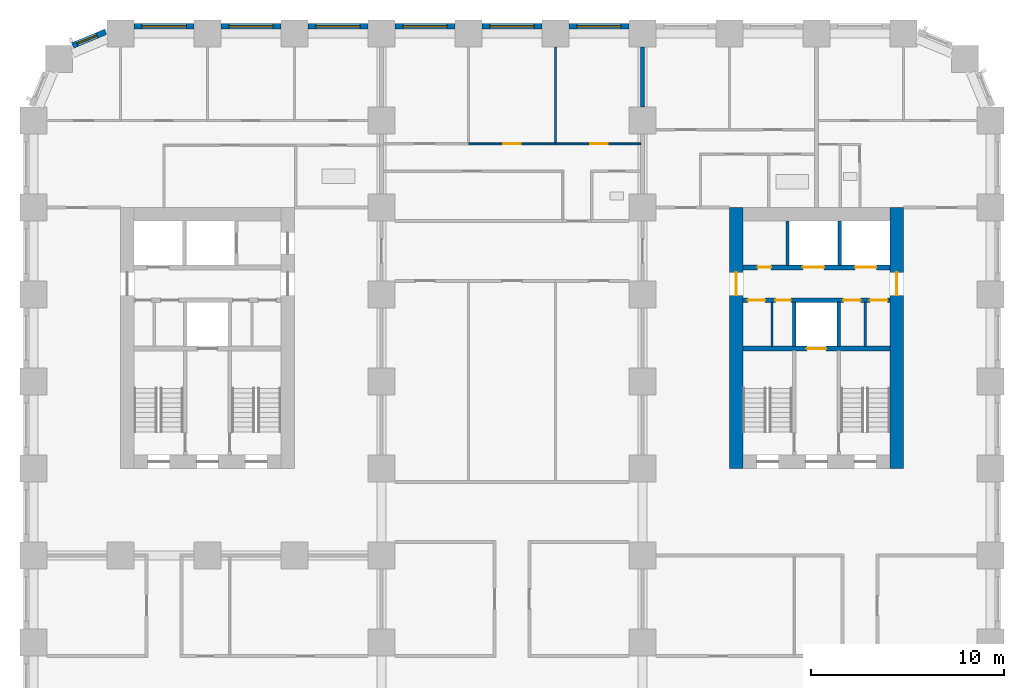
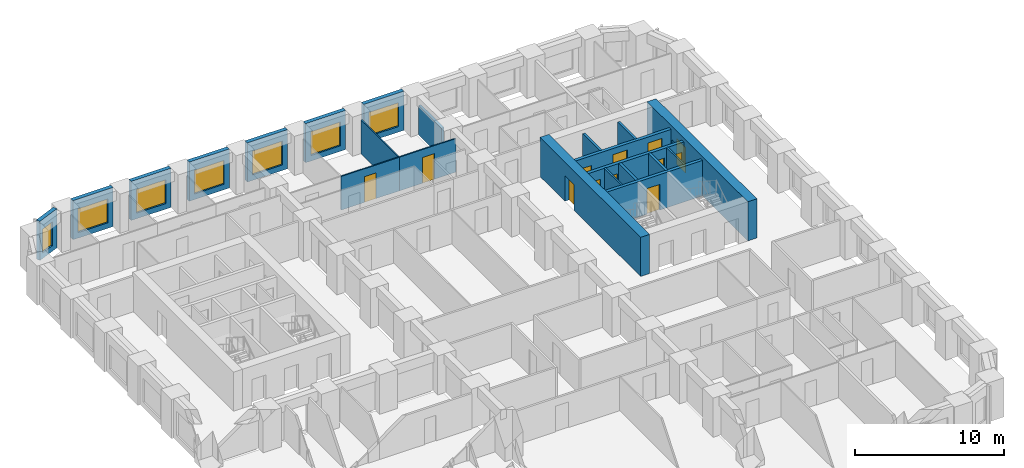
# One storey, part 8 of 13: 22 walls, 12 doors, 7 windows, 19 openings.
"""IFC4 building model written with IfcOpenShell, lengths in metres."""

from ifc_helpers import new_model, si_unit, direction, frame, frame_2d, origin, place, context, subcontext, project, spatial, rectangle, extrude, material, layer, layer_set, type_object, element, fill, save


model = new_model("IFC4")

# Units and contexts
model_context = context("Model", 3, precision=1e-05, world=origin(), true_north=direction((0.0, 1.0)))
body_context = subcontext(model_context, "Body", "Model", "MODEL_VIEW")
ifc_project = project(units=[si_unit("LENGTHUNIT", "METRE"), si_unit("AREAUNIT", "SQUARE_METRE"), si_unit("VOLUMEUNIT", "CUBIC_METRE"), si_unit("PLANEANGLEUNIT", "RADIAN"), si_unit("MASSUNIT", "GRAM", prefix="KILO")], contexts=[model_context])

# Site, building, storey
site_placement = place(None, origin())
site = spatial("IfcSite", under=ifc_project, at=site_placement, CompositionType="ELEMENT")
building_placement = place(site_placement, origin())
building = spatial("IfcBuilding", under=site, at=building_placement, Name="Girih Gate Residences", CompositionType="ELEMENT")
storey_placement = place(building_placement, frame((0.0, 0.0, 43.199951171875)))
storey = spatial("IfcBuildingStorey", under=building, at=storey_placement, Name="L10", CompositionType="ELEMENT", Elevation=43.199951171875)

# Wall, opening, door
ifc_material_1 = material(Name="Concrete C60/75", Category="concrete")
ifc_layer_1 = layer(ifc_material_1, 0.699951171875)
ifc_layer_set_1 = layer_set([ifc_layer_1], Name="Core wall RC 700 Concrete C60/75")
wall_type_1 = type_object("IfcWallType", Name="Core wall RC 700 Concrete C60/75", PredefinedType="SOLIDWALL", material=ifc_layer_set_1)
wall_1_placement = place(storey_placement, frame((36.35009765625, 27.0, 0.0), z_axis=(0.0, 0.0, 1.0), x_axis=(0.0, 1.0, 0.0)))
wall_1 = element("IfcWall", 1, at=wall_1_placement, inside=storey, type_object=wall_type_1, Name="Core wall E-W L10", PredefinedType="SOLIDWALL", context=body_context, shape_type="SweptSolid", body=[
    extrude(rectangle(XDim=13.5, YDim=0.699951171875, at=frame_2d((6.75, 0.0))), origin(), (0.0, 0.0, 1.0), 3.199951171875),
])
opening_1_placement = place(wall_1_placement, frame((8.949951171875, 0.0, 0.0)))
opening_1 = element("IfcOpeningElement", 2, at=opening_1_placement, cuts=wall_1, Name="Opening D-L10-E-014", PredefinedType="OPENING", context=body_context, shape_type="SweptSolid", body=[
    extrude(rectangle(XDim=1.199951171875, YDim=2.10009765625, at=frame_2d((0.60009765625, 1.050048828125))), frame((0.0, 0.35986328125, 0.0), z_axis=(0.0, -1.0, 0.0), x_axis=(1.0, 0.0, 0.0)), (0.0, 0.0, 1.0), 0.719970703125),
])
ifc_material_2 = material(Name="Painted steel, fire-resisting", Category="steel")
door_type_1 = type_object("IfcDoorType", Name="Fire door 1200x2100", OperationType="SINGLE_SWING_LEFT", PredefinedType="DOOR", material=ifc_material_2)
door_1_placement = place(opening_1_placement, origin())
door_1 = element("IfcDoor", 3, at=door_1_placement, inside=storey, type_object=door_type_1, Name="L10 E core door ll-w", OperationType="SINGLE_SWING_LEFT", OverallHeight=2.10009765625, OverallWidth=1.199951171875, PredefinedType="DOOR", context=body_context, shape_type="SweptSolid", body=[
    extrude(rectangle(XDim=1.199951171875, YDim=2.10009765625, at=frame_2d((0.60009765625, 1.050048828125))), frame((0.0, 0.02490234375, 0.0), z_axis=(0.0, -1.0, 0.0), x_axis=(1.0, 0.0, 0.0)), (0.0, 0.0, 1.0), 0.050048828125),
])
fill(opening_1, door_1)

wall_2_placement = place(storey_placement, frame((44.64990234375, 27.0, 0.0), z_axis=(0.0, 0.0, 1.0), x_axis=(0.0, 1.0, 0.0)))
wall_2 = element("IfcWall", 4, at=wall_2_placement, inside=storey, type_object=wall_type_1, Name="Core wall E-E L10", PredefinedType="SOLIDWALL", context=body_context, shape_type="SweptSolid", body=[
    extrude(rectangle(XDim=13.5, YDim=0.699951171875, at=frame_2d((6.75, 0.0))), origin(), (0.0, 0.0, 1.0), 3.199951171875),
])
opening_2_placement = place(wall_2_placement, frame((8.949951171875, 0.0, 0.0)))
opening_2 = element("IfcOpeningElement", 5, at=opening_2_placement, cuts=wall_2, Name="Opening D-L10-E-015", PredefinedType="OPENING", context=body_context, shape_type="SweptSolid", body=[
    extrude(rectangle(XDim=1.199951171875, YDim=2.10009765625, at=frame_2d((0.60009765625, 1.050048828125))), frame((0.0, 0.35986328125, 0.0), z_axis=(0.0, -1.0, 0.0), x_axis=(1.0, 0.0, 0.0)), (0.0, 0.0, 1.0), 0.719970703125),
])
door_2_placement = place(opening_2_placement, origin())
door_2 = element("IfcDoor", 6, at=door_2_placement, inside=storey, type_object=door_type_1, Name="L10 E core door ll-e", OperationType="SINGLE_SWING_LEFT", OverallHeight=2.10009765625, OverallWidth=1.199951171875, PredefinedType="DOOR", context=body_context, shape_type="SweptSolid", body=[
    extrude(rectangle(XDim=1.199951171875, YDim=2.10009765625, at=frame_2d((0.60009765625, 1.050048828125))), frame((0.0, 0.02490234375, 0.0), z_axis=(0.0, -1.0, 0.0), x_axis=(1.0, 0.0, 0.0)), (0.0, 0.0, 1.0), 0.050048828125),
])
fill(opening_2, door_2)

ifc_material_3 = material(Name="Concrete C40/50", Category="concrete")
ifc_layer_2 = layer(ifc_material_3, 0.25)
ifc_layer_set_2 = layer_set([ifc_layer_2], Name="Lift shaft wall 250")
wall_type_2 = type_object("IfcWallType", Name="Lift shaft wall 250", PredefinedType="SOLIDWALL", material=ifc_layer_set_2)
wall_3_placement = place(storey_placement, frame((36.699951171875, 33.199951171875, 0.0), z_axis=(0.0, 0.0, 1.0), x_axis=(1.0, 0.0, 0.0)))
wall_3 = element("IfcWall", 7, at=wall_3_placement, inside=storey, type_object=wall_type_2, Name="L10 E core wall H1", PredefinedType="SOLIDWALL", context=body_context, shape_type="SweptSolid", body=[
    extrude(rectangle(XDim=7.60009765625, YDim=0.25, at=frame_2d((3.800048828125, 0.0))), origin(), (0.0, 0.0, 1.0), 2.900146484375),
])
opening_3_placement = place(wall_3_placement, frame((3.300048828125, 0.0, 0.0)))
opening_3 = element("IfcOpeningElement", 8, at=opening_3_placement, cuts=wall_3, Name="Opening D-L10-E-005", PredefinedType="OPENING", context=body_context, shape_type="SweptSolid", body=[
    extrude(rectangle(XDim=1.0, YDim=2.10009765625, at=frame_2d((0.5, 1.050048828125))), frame((0.0, 0.135009765625, 0.0), z_axis=(0.0, -1.0, 0.0), x_axis=(1.0, 0.0, 0.0)), (0.0, 0.0, 1.0), 0.27001953125),
])
ifc_material_4 = material(Name="Stainless steel, fire-resisting", Category="steel")
door_type_2 = type_object("IfcDoorType", Name="Firefighting lift landing door 1000x2100", OperationType="SLIDING_TO_LEFT", PredefinedType="DOOR", material=ifc_material_4)
door_3_placement = place(opening_3_placement, origin())
door_3 = element("IfcDoor", 9, at=door_3_placement, inside=storey, type_object=door_type_2, Name="L10 lift FF-E landing door", OperationType="SLIDING_TO_LEFT", OverallHeight=2.10009765625, OverallWidth=1.0, PredefinedType="DOOR", context=body_context, shape_type="SweptSolid", body=[
    extrude(rectangle(XDim=1.0, YDim=2.10009765625, at=frame_2d((0.5, 1.050048828125))), frame((0.0, 0.02490234375, 0.0), z_axis=(0.0, -1.0, 0.0), x_axis=(1.0, 0.0, 0.0)), (0.0, 0.0, 1.0), 0.050048828125),
])
fill(opening_3, door_3)

# Wall, openings, doors
wall_4_placement = place(storey_placement, frame((36.699951171875, 35.699951171875, 0.0), z_axis=(0.0, 0.0, 1.0), x_axis=(1.0, 0.0, 0.0)))
wall_4 = element("IfcWall", 10, at=wall_4_placement, inside=storey, type_object=wall_type_2, Name="L10 E core wall H2", PredefinedType="SOLIDWALL", context=body_context, shape_type="SweptSolid", body=[
    extrude(rectangle(XDim=7.60009765625, YDim=0.25, at=frame_2d((3.800048828125, 0.0))), origin(), (0.0, 0.0, 1.0), 2.900146484375),
])
opening_4_placement = place(wall_4_placement, frame((6.5625, 0.0, 0.0)))
opening_4 = element("IfcOpeningElement", 11, at=opening_4_placement, cuts=wall_4, Name="Opening D-L10-E-007", PredefinedType="OPENING", context=body_context, shape_type="SweptSolid", body=[
    extrude(rectangle(XDim=0.89990234375, YDim=2.10009765625, at=frame_2d((0.449951171875, 1.050048828125))), frame((0.0, 0.135009765625, 0.0), z_axis=(0.0, -1.0, 0.0), x_axis=(1.0, 0.0, 0.0)), (0.0, 0.0, 1.0), 0.27001953125),
])
opening_5_placement = place(wall_4_placement, frame((5.1875, 0.0, 0.0)))
opening_5 = element("IfcOpeningElement", 12, at=opening_5_placement, cuts=wall_4, Name="Opening D-L10-E-008", PredefinedType="OPENING", context=body_context, shape_type="SweptSolid", body=[
    extrude(rectangle(XDim=0.89990234375, YDim=2.10009765625, at=frame_2d((0.449951171875, 1.050048828125))), frame((0.0, 0.135009765625, 0.0), z_axis=(0.0, -1.0, 0.0), x_axis=(1.0, 0.0, 0.0)), (0.0, 0.0, 1.0), 0.27001953125),
])
opening_6_placement = place(wall_4_placement, frame((1.675048828125, 0.0, 0.0)))
opening_6 = element("IfcOpeningElement", 13, at=opening_6_placement, cuts=wall_4, Name="Opening D-L10-E-009", PredefinedType="OPENING", context=body_context, shape_type="SweptSolid", body=[
    extrude(rectangle(XDim=0.800048828125, YDim=2.10009765625, at=frame_2d((0.39990234375, 1.050048828125))), frame((0.0, 0.135009765625, 0.0), z_axis=(0.0, -1.0, 0.0), x_axis=(1.0, 0.0, 0.0)), (0.0, 0.0, 1.0), 0.27001953125),
])
opening_7_placement = place(wall_4_placement, frame((0.25, 0.0, 0.0)))
opening_7 = element("IfcOpeningElement", 14, at=opening_7_placement, cuts=wall_4, Name="Opening D-L10-E-010", PredefinedType="OPENING", context=body_context, shape_type="SweptSolid", body=[
    extrude(rectangle(XDim=0.89990234375, YDim=2.10009765625, at=frame_2d((0.449951171875, 1.050048828125))), frame((0.0, 0.135009765625, 0.0), z_axis=(0.0, -1.0, 0.0), x_axis=(1.0, 0.0, 0.0)), (0.0, 0.0, 1.0), 0.27001953125),
])
door_type_3 = type_object("IfcDoorType", Name="Fire door 800x2100", OperationType="SINGLE_SWING_LEFT", PredefinedType="DOOR", material=ifc_material_2)
door_4_placement = place(opening_6_placement, origin())
door_4 = element("IfcDoor", 15, at=door_4_placement, inside=storey, type_object=door_type_3, Name="L10 E linen store door", OperationType="SINGLE_SWING_LEFT", OverallHeight=2.10009765625, OverallWidth=0.800048828125, PredefinedType="DOOR", context=body_context, shape_type="SweptSolid", body=[
    extrude(rectangle(XDim=0.800048828125, YDim=2.10009765625, at=frame_2d((0.39990234375, 1.050048828125))), frame((0.0, 0.02490234375, 0.0), z_axis=(0.0, -1.0, 0.0), x_axis=(1.0, 0.0, 0.0)), (0.0, 0.0, 1.0), 0.050048828125),
])
fill(opening_6, door_4)
door_type_4 = type_object("IfcDoorType", Name="Fire door 900x2100", OperationType="SINGLE_SWING_LEFT", PredefinedType="DOOR", material=ifc_material_2)
door_5_placement = place(opening_4_placement, origin())
door_5 = element("IfcDoor", 16, at=door_5_placement, inside=storey, type_object=door_type_4, Name="L10 E maintenance store door", OperationType="SINGLE_SWING_LEFT", OverallHeight=2.10009765625, OverallWidth=0.89990234375, PredefinedType="DOOR", context=body_context, shape_type="SweptSolid", body=[
    extrude(rectangle(XDim=0.89990234375, YDim=2.10009765625, at=frame_2d((0.449951171875, 1.050048828125))), frame((0.0, 0.02490234375, 0.0), z_axis=(0.0, -1.0, 0.0), x_axis=(1.0, 0.0, 0.0)), (0.0, 0.0, 1.0), 0.050048828125),
])
fill(opening_4, door_5)
door_6_placement = place(opening_5_placement, origin())
door_6 = element("IfcDoor", 17, at=door_6_placement, inside=storey, type_object=door_type_4, Name="L10 E electrical room door", OperationType="SINGLE_SWING_LEFT", OverallHeight=2.10009765625, OverallWidth=0.89990234375, PredefinedType="DOOR", context=body_context, shape_type="SweptSolid", body=[
    extrude(rectangle(XDim=0.89990234375, YDim=2.10009765625, at=frame_2d((0.449951171875, 1.050048828125))), frame((0.0, 0.02490234375, 0.0), z_axis=(0.0, -1.0, 0.0), x_axis=(1.0, 0.0, 0.0)), (0.0, 0.0, 1.0), 0.050048828125),
])
fill(opening_5, door_6)
door_7_placement = place(opening_7_placement, origin())
door_7 = element("IfcDoor", 18, at=door_7_placement, inside=storey, type_object=door_type_4, Name="L10 E store door", OperationType="SINGLE_SWING_LEFT", OverallHeight=2.10009765625, OverallWidth=0.89990234375, PredefinedType="DOOR", context=body_context, shape_type="SweptSolid", body=[
    extrude(rectangle(XDim=0.89990234375, YDim=2.10009765625, at=frame_2d((0.449951171875, 1.050048828125))), frame((0.0, 0.02490234375, 0.0), z_axis=(0.0, -1.0, 0.0), x_axis=(1.0, 0.0, 0.0)), (0.0, 0.0, 1.0), 0.050048828125),
])
fill(opening_7, door_7)

wall_5_placement = place(storey_placement, frame((36.699951171875, 37.39990234375, 0.0), z_axis=(0.0, 0.0, 1.0), x_axis=(1.0, 0.0, 0.0)))
wall_5 = element("IfcWall", 19, at=wall_5_placement, inside=storey, type_object=wall_type_2, Name="L10 E core wall H3", PredefinedType="SOLIDWALL", context=body_context, shape_type="SweptSolid", body=[
    extrude(rectangle(XDim=7.60009765625, YDim=0.25, at=frame_2d((3.800048828125, 0.0))), origin(), (0.0, 0.0, 1.0), 2.900146484375),
])
opening_8_placement = place(wall_5_placement, frame((5.800048828125, 0.0, 0.0)))
opening_8 = element("IfcOpeningElement", 20, at=opening_8_placement, cuts=wall_5, Name="Opening D-L10-E-003", PredefinedType="OPENING", context=body_context, shape_type="SweptSolid", body=[
    extrude(rectangle(XDim=1.10009765625, YDim=2.39990234375, at=frame_2d((0.550048828125, 1.199951171875))), frame((0.0, 0.135009765625, 0.0), z_axis=(0.0, -1.0, 0.0), x_axis=(1.0, 0.0, 0.0)), (0.0, 0.0, 1.0), 0.27001953125),
])
opening_9_placement = place(wall_5_placement, frame((3.10009765625, 0.0, 0.0)))
opening_9 = element("IfcOpeningElement", 21, at=opening_9_placement, cuts=wall_5, Name="Opening D-L10-E-004", PredefinedType="OPENING", context=body_context, shape_type="SweptSolid", body=[
    extrude(rectangle(XDim=1.10009765625, YDim=2.39990234375, at=frame_2d((0.550048828125, 1.199951171875))), frame((0.0, 0.135009765625, 0.0), z_axis=(0.0, -1.0, 0.0), x_axis=(1.0, 0.0, 0.0)), (0.0, 0.0, 1.0), 0.27001953125),
])
opening_10_placement = place(wall_5_placement, frame((0.75, 0.0, 0.0)))
opening_10 = element("IfcOpeningElement", 22, at=opening_10_placement, cuts=wall_5, Name="Opening D-L10-E-006", PredefinedType="OPENING", context=body_context, shape_type="SweptSolid", body=[
    extrude(rectangle(XDim=0.699951171875, YDim=2.10009765625, at=frame_2d((0.35009765625, 1.050048828125))), frame((0.0, 0.135009765625, 0.0), z_axis=(0.0, -1.0, 0.0), x_axis=(1.0, 0.0, 0.0)), (0.0, 0.0, 1.0), 0.27001953125),
])
ifc_material_5 = material(Name="Stainless steel", Category="steel")
door_type_5 = type_object("IfcDoorType", Name="Lift landing door 1100x2400", OperationType="SLIDING_TO_LEFT", PredefinedType="DOOR", material=ifc_material_5)
door_8_placement = place(opening_8_placement, origin())
door_8 = element("IfcDoor", 23, at=door_8_placement, inside=storey, type_object=door_type_5, Name="L10 lift LR-E1 landing door", OperationType="SLIDING_TO_LEFT", OverallHeight=2.39990234375, OverallWidth=1.10009765625, PredefinedType="DOOR", context=body_context, shape_type="SweptSolid", body=[
    extrude(rectangle(XDim=1.10009765625, YDim=2.39990234375, at=frame_2d((0.550048828125, 1.199951171875))), frame((0.0, 0.02490234375, 0.0), z_axis=(0.0, -1.0, 0.0), x_axis=(1.0, 0.0, 0.0)), (0.0, 0.0, 1.0), 0.050048828125),
])
fill(opening_8, door_8)
door_9_placement = place(opening_9_placement, origin())
door_9 = element("IfcDoor", 24, at=door_9_placement, inside=storey, type_object=door_type_5, Name="L10 lift LR-E2 landing door", OperationType="SLIDING_TO_LEFT", OverallHeight=2.39990234375, OverallWidth=1.10009765625, PredefinedType="DOOR", context=body_context, shape_type="SweptSolid", body=[
    extrude(rectangle(XDim=1.10009765625, YDim=2.39990234375, at=frame_2d((0.550048828125, 1.199951171875))), frame((0.0, 0.02490234375, 0.0), z_axis=(0.0, -1.0, 0.0), x_axis=(1.0, 0.0, 0.0)), (0.0, 0.0, 1.0), 0.050048828125),
])
fill(opening_9, door_9)
door_type_6 = type_object("IfcDoorType", Name="Riser access door 700x2100", OperationType="SINGLE_SWING_LEFT", PredefinedType="DOOR", material=ifc_material_2)
door_10_placement = place(opening_10_placement, origin())
door_10 = element("IfcDoor", 25, at=door_10_placement, inside=storey, type_object=door_type_6, Name="L10 E riser room door", OperationType="SINGLE_SWING_LEFT", OverallHeight=2.10009765625, OverallWidth=0.699951171875, PredefinedType="DOOR", context=body_context, shape_type="SweptSolid", body=[
    extrude(rectangle(XDim=0.699951171875, YDim=2.10009765625, at=frame_2d((0.35009765625, 1.050048828125))), frame((0.0, 0.02490234375, 0.0), z_axis=(0.0, -1.0, 0.0), x_axis=(1.0, 0.0, 0.0)), (0.0, 0.0, 1.0), 0.050048828125),
])
fill(opening_10, door_10)

# Wall
ifc_material_6 = material(Name="Gypsum board on steel studs", Category="steel")
ifc_layer_3 = layer(ifc_material_6, 0.10009765625)
ifc_layer_set_3 = layer_set([ifc_layer_3], Name="Partition 100 mm")
wall_type_3 = type_object("IfcWallType", Name="Partition 100 mm", PredefinedType="PARTITIONING", material=ifc_layer_set_3)
wall_6_placement = place(storey_placement, frame((27.0, 43.840087890625, 0.0), z_axis=(0.0, 0.0, 1.0), x_axis=(0.0, 1.0, 0.0)))
element("IfcWall", 26, at=wall_6_placement, inside=storey, type_object=wall_type_3, Name="L10 partition", PredefinedType="PARTITIONING", context=body_context, shape_type="SweptSolid", body=[
    extrude(rectangle(XDim=4.9599609375, YDim=0.10009765625, at=frame_2d((2.47998046875, 0.0))), origin(), (0.0, 0.0, 1.0), 2.75),
])

# Wall, opening, door
wall_7_placement = place(storey_placement, frame((22.5, 43.7900390625, 0.0), z_axis=(0.0, 0.0, 1.0), x_axis=(1.0, 0.0, 0.0)))
wall_7 = element("IfcWall", 27, at=wall_7_placement, inside=storey, type_object=wall_type_3, Name="L10 partition", PredefinedType="PARTITIONING", context=body_context, shape_type="SweptSolid", body=[
    extrude(rectangle(XDim=4.5, YDim=0.10009765625, at=frame_2d((2.25, 0.0))), origin(), (0.0, 0.0, 1.0), 2.75),
])
opening_11_placement = place(wall_7_placement, frame((1.800048828125, 0.0, 0.0)))
opening_11 = element("IfcOpeningElement", 28, at=opening_11_placement, cuts=wall_7, Name="Opening A10-039", PredefinedType="OPENING", context=body_context, shape_type="SweptSolid", body=[
    extrude(rectangle(XDim=0.89990234375, YDim=2.10009765625, at=frame_2d((0.449951171875, 1.050048828125))), frame((0.0, 0.06005859375, 0.0), z_axis=(0.0, -1.0, 0.0), x_axis=(1.0, 0.0, 0.0)), (0.0, 0.0, 1.0), 0.1201171875),
])
ifc_material_7 = material(Name="Timber", Category="wood")
door_type_7 = type_object("IfcDoorType", Name="Bedroom door 900x2100", OperationType="NOTDEFINED", PredefinedType="DOOR", material=ifc_material_7)
door_11_placement = place(opening_11_placement, origin())
door_11 = element("IfcDoor", 29, at=door_11_placement, inside=storey, type_object=door_type_7, Name="Door A10-039", OperationType="SINGLE_SWING_LEFT", OverallHeight=2.10009765625, OverallWidth=0.89990234375, PredefinedType="DOOR", context=body_context, shape_type="SweptSolid", body=[
    extrude(rectangle(XDim=0.89990234375, YDim=2.10009765625, at=frame_2d((0.449951171875, 1.050048828125))), frame((0.0, 0.02490234375, 0.0), z_axis=(0.0, -1.0, 0.0), x_axis=(1.0, 0.0, 0.0)), (0.0, 0.0, 1.0), 0.050048828125),
])
fill(opening_11, door_11)

wall_8_placement = place(storey_placement, frame((27.0, 43.7900390625, 0.0), z_axis=(0.0, 0.0, 1.0), x_axis=(1.0, 0.0, 0.0)))
wall_8 = element("IfcWall", 30, at=wall_8_placement, inside=storey, type_object=wall_type_3, Name="L10 partition", PredefinedType="PARTITIONING", context=body_context, shape_type="SweptSolid", body=[
    extrude(rectangle(XDim=4.39990234375, YDim=0.10009765625, at=frame_2d((2.199951171875, 0.0))), origin(), (0.0, 0.0, 1.0), 2.75),
])
opening_12_placement = place(wall_8_placement, frame((1.800048828125, 0.0, 0.0)))
opening_12 = element("IfcOpeningElement", 31, at=opening_12_placement, cuts=wall_8, Name="Opening A10-040", PredefinedType="OPENING", context=body_context, shape_type="SweptSolid", body=[
    extrude(rectangle(XDim=0.89990234375, YDim=2.10009765625, at=frame_2d((0.449951171875, 1.050048828125))), frame((0.0, 0.06005859375, 0.0), z_axis=(0.0, -1.0, 0.0), x_axis=(1.0, 0.0, 0.0)), (0.0, 0.0, 1.0), 0.1201171875),
])
door_12_placement = place(opening_12_placement, origin())
door_12 = element("IfcDoor", 32, at=door_12_placement, inside=storey, type_object=door_type_7, Name="Door A10-040", OperationType="SINGLE_SWING_RIGHT", OverallHeight=2.10009765625, OverallWidth=0.89990234375, PredefinedType="DOOR", context=body_context, shape_type="SweptSolid", body=[
    extrude(rectangle(XDim=0.89990234375, YDim=2.10009765625, at=frame_2d((0.449951171875, 1.050048828125))), frame((0.0, 0.02490234375, 0.0), z_axis=(0.0, -1.0, 0.0), x_axis=(1.0, 0.0, 0.0)), (0.0, 0.0, 1.0), 0.050048828125),
])
fill(opening_12, door_12)

# Wall
ifc_layer_4 = layer(ifc_material_6, 0.199951171875)
ifc_layer_set_4 = layer_set([ifc_layer_4], Name="Party wall 200 mm")
wall_type_4 = type_object("IfcWallType", Name="Party wall 200 mm", PredefinedType="PARTITIONING", material=ifc_layer_set_4)
wall_9_placement = place(storey_placement, frame((31.5, 45.699951171875, 0.0), z_axis=(0.0, 0.0, 1.0), x_axis=(0.0, 1.0, 0.0)))
element("IfcWall", 33, at=wall_9_placement, inside=storey, type_object=wall_type_4, Name="L10 partition", PredefinedType="PARTITIONING", context=body_context, shape_type="SweptSolid", body=[
    extrude(rectangle(XDim=3.10009765625, YDim=0.199951171875, at=frame_2d((1.550048828125, 0.0))), origin(), (0.0, 0.0, 1.0), 2.380126953125),
])

# Wall, opening, window
ifc_material_8 = material(Name="Precast concrete C50/60", Category="concrete")
ifc_layer_5 = layer(ifc_material_8, 0.080078125, Name="Outer leaf")
ifc_material_9 = material(Name="Rigid PIR insulation")
ifc_layer_6 = layer(ifc_material_9, 0.14990234375, Name="Insulation")
ifc_material_10 = material(Name="Precast concrete C40/50", Category="concrete")
ifc_layer_7 = layer(ifc_material_10, 0.070068359375, Name="Inner leaf")
ifc_layer_set_5 = layer_set([ifc_layer_5, ifc_layer_6, ifc_layer_7], Name="Precast concrete C50/60 external wall 300")
wall_type_5 = type_object("IfcWallType", Name="Precast concrete C50/60 external wall 300", PredefinedType="SOLIDWALL", material=ifc_layer_set_5)
wall_10_placement = place(storey_placement, frame((27.699951171875, 49.875, 0.0), z_axis=(0.0, 0.0, 1.0), x_axis=(1.0, 0.0, 0.0)))
wall_10 = element("IfcWall", 34, at=wall_10_placement, inside=storey, type_object=wall_type_5, Name="External wall N0450_0495.3", PredefinedType="SOLIDWALL", context=body_context, shape_type="SweptSolid", body=[
    extrude(rectangle(XDim=3.10009765625, YDim=0.300048828125, at=frame_2d((1.550048828125, 0.0))), origin(), (0.0, 0.0, 1.0), 3.199951171875),
])
opening_13_placement = place(wall_10_placement, frame((0.39990234375, 0.0, 0.449951171875)))
opening_13 = element("IfcOpeningElement", 35, at=opening_13_placement, cuts=wall_10, Name="Opening W-1", PredefinedType="OPENING", context=body_context, shape_type="SweptSolid", body=[
    extrude(rectangle(XDim=2.300048828125, YDim=1.949951171875, at=frame_2d((1.14990234375, 0.97509765625))), frame((0.0, 0.159912109375, 0.0), z_axis=(0.0, -1.0, 0.0), x_axis=(1.0, 0.0, 0.0)), (0.0, 0.0, 1.0), 0.320068359375),
])
ifc_material_11 = material(Name="Double glazing in aluminium frame", Category="aluminium")
window_type_1 = type_object("IfcWindowType", Name="Window W-1 2300x1950", PartitioningType="SINGLE_PANEL", PredefinedType="WINDOW", material=ifc_material_11)
window_1_placement = place(opening_13_placement, origin())
window_1 = element("IfcWindow", 36, at=window_1_placement, inside=storey, type_object=window_type_1, Name="Window W-1 N0450_0495.3", OverallHeight=1.949951171875, OverallWidth=2.300048828125, PartitioningType="SINGLE_PANEL", PredefinedType="WINDOW", context=body_context, shape_type="SweptSolid", body=[
    extrude(rectangle(XDim=2.300048828125, YDim=1.949951171875, at=frame_2d((1.14990234375, 0.97509765625))), frame((0.0, 0.030029296875, 0.0), z_axis=(0.0, -1.0, 0.0), x_axis=(1.0, 0.0, 0.0)), (0.0, 0.0, 1.0), 0.06005859375),
])
fill(opening_13, window_1)

wall_11_placement = place(storey_placement, frame((23.199951171875, 49.875, 0.0), z_axis=(0.0, 0.0, 1.0), x_axis=(1.0, 0.0, 0.0)))
wall_11 = element("IfcWall", 37, at=wall_11_placement, inside=storey, type_object=wall_type_5, Name="External wall N0450_0495.4", PredefinedType="SOLIDWALL", context=body_context, shape_type="SweptSolid", body=[
    extrude(rectangle(XDim=3.10009765625, YDim=0.300048828125, at=frame_2d((1.550048828125, 0.0))), origin(), (0.0, 0.0, 1.0), 3.199951171875),
])
opening_14_placement = place(wall_11_placement, frame((0.39990234375, 0.0, 0.449951171875)))
opening_14 = element("IfcOpeningElement", 38, at=opening_14_placement, cuts=wall_11, Name="Opening W-1", PredefinedType="OPENING", context=body_context, shape_type="SweptSolid", body=[
    extrude(rectangle(XDim=2.300048828125, YDim=1.949951171875, at=frame_2d((1.14990234375, 0.97509765625))), frame((0.0, 0.159912109375, 0.0), z_axis=(0.0, -1.0, 0.0), x_axis=(1.0, 0.0, 0.0)), (0.0, 0.0, 1.0), 0.320068359375),
])
window_2_placement = place(opening_14_placement, origin())
window_2 = element("IfcWindow", 39, at=window_2_placement, inside=storey, type_object=window_type_1, Name="Window W-1 N0450_0495.4", OverallHeight=1.949951171875, OverallWidth=2.300048828125, PartitioningType="SINGLE_PANEL", PredefinedType="WINDOW", context=body_context, shape_type="SweptSolid", body=[
    extrude(rectangle(XDim=2.300048828125, YDim=1.949951171875, at=frame_2d((1.14990234375, 0.97509765625))), frame((0.0, 0.030029296875, 0.0), z_axis=(0.0, -1.0, 0.0), x_axis=(1.0, 0.0, 0.0)), (0.0, 0.0, 1.0), 0.06005859375),
])
fill(opening_14, window_2)

wall_12_placement = place(storey_placement, frame((18.699951171875, 49.875, 0.0), z_axis=(0.0, 0.0, 1.0), x_axis=(1.0, 0.0, 0.0)))
wall_12 = element("IfcWall", 40, at=wall_12_placement, inside=storey, type_object=wall_type_5, Name="External wall N0450_0495.5", PredefinedType="SOLIDWALL", context=body_context, shape_type="SweptSolid", body=[
    extrude(rectangle(XDim=3.10009765625, YDim=0.300048828125, at=frame_2d((1.550048828125, 0.0))), origin(), (0.0, 0.0, 1.0), 3.199951171875),
])
opening_15_placement = place(wall_12_placement, frame((0.39990234375, 0.0, 0.449951171875)))
opening_15 = element("IfcOpeningElement", 41, at=opening_15_placement, cuts=wall_12, Name="Opening W-1", PredefinedType="OPENING", context=body_context, shape_type="SweptSolid", body=[
    extrude(rectangle(XDim=2.300048828125, YDim=1.949951171875, at=frame_2d((1.14990234375, 0.97509765625))), frame((0.0, 0.159912109375, 0.0), z_axis=(0.0, -1.0, 0.0), x_axis=(1.0, 0.0, 0.0)), (0.0, 0.0, 1.0), 0.320068359375),
])
window_3_placement = place(opening_15_placement, origin())
window_3 = element("IfcWindow", 42, at=window_3_placement, inside=storey, type_object=window_type_1, Name="Window W-1 N0450_0495.5", OverallHeight=1.949951171875, OverallWidth=2.300048828125, PartitioningType="SINGLE_PANEL", PredefinedType="WINDOW", context=body_context, shape_type="SweptSolid", body=[
    extrude(rectangle(XDim=2.300048828125, YDim=1.949951171875, at=frame_2d((1.14990234375, 0.97509765625))), frame((0.0, 0.030029296875, 0.0), z_axis=(0.0, -1.0, 0.0), x_axis=(1.0, 0.0, 0.0)), (0.0, 0.0, 1.0), 0.06005859375),
])
fill(opening_15, window_3)

wall_13_placement = place(storey_placement, frame((14.199951171875, 49.875, 0.0), z_axis=(0.0, 0.0, 1.0), x_axis=(1.0, 0.0, 0.0)))
wall_13 = element("IfcWall", 43, at=wall_13_placement, inside=storey, type_object=wall_type_5, Name="External wall N0450_0495.6", PredefinedType="SOLIDWALL", context=body_context, shape_type="SweptSolid", body=[
    extrude(rectangle(XDim=3.10009765625, YDim=0.300048828125, at=frame_2d((1.550048828125, 0.0))), origin(), (0.0, 0.0, 1.0), 3.199951171875),
])
opening_16_placement = place(wall_13_placement, frame((0.39990234375, 0.0, 0.449951171875)))
opening_16 = element("IfcOpeningElement", 44, at=opening_16_placement, cuts=wall_13, Name="Opening W-1", PredefinedType="OPENING", context=body_context, shape_type="SweptSolid", body=[
    extrude(rectangle(XDim=2.300048828125, YDim=1.949951171875, at=frame_2d((1.14990234375, 0.97509765625))), frame((0.0, 0.159912109375, 0.0), z_axis=(0.0, -1.0, 0.0), x_axis=(1.0, 0.0, 0.0)), (0.0, 0.0, 1.0), 0.320068359375),
])
window_4_placement = place(opening_16_placement, origin())
window_4 = element("IfcWindow", 45, at=window_4_placement, inside=storey, type_object=window_type_1, Name="Window W-1 N0450_0495.6", OverallHeight=1.949951171875, OverallWidth=2.300048828125, PartitioningType="SINGLE_PANEL", PredefinedType="WINDOW", context=body_context, shape_type="SweptSolid", body=[
    extrude(rectangle(XDim=2.300048828125, YDim=1.949951171875, at=frame_2d((1.14990234375, 0.97509765625))), frame((0.0, 0.030029296875, 0.0), z_axis=(0.0, -1.0, 0.0), x_axis=(1.0, 0.0, 0.0)), (0.0, 0.0, 1.0), 0.06005859375),
])
fill(opening_16, window_4)

wall_14_placement = place(storey_placement, frame((9.699951171875, 49.875, 0.0), z_axis=(0.0, 0.0, 1.0), x_axis=(1.0, 0.0, 0.0)))
wall_14 = element("IfcWall", 46, at=wall_14_placement, inside=storey, type_object=wall_type_5, Name="External wall N0450_0495.7", PredefinedType="SOLIDWALL", context=body_context, shape_type="SweptSolid", body=[
    extrude(rectangle(XDim=3.10009765625, YDim=0.300048828125, at=frame_2d((1.550048828125, 0.0))), origin(), (0.0, 0.0, 1.0), 3.199951171875),
])
opening_17_placement = place(wall_14_placement, frame((0.39990234375, 0.0, 0.449951171875)))
opening_17 = element("IfcOpeningElement", 47, at=opening_17_placement, cuts=wall_14, Name="Opening W-1", PredefinedType="OPENING", context=body_context, shape_type="SweptSolid", body=[
    extrude(rectangle(XDim=2.300048828125, YDim=1.949951171875, at=frame_2d((1.14990234375, 0.97509765625))), frame((0.0, 0.159912109375, 0.0), z_axis=(0.0, -1.0, 0.0), x_axis=(1.0, 0.0, 0.0)), (0.0, 0.0, 1.0), 0.320068359375),
])
window_5_placement = place(opening_17_placement, origin())
window_5 = element("IfcWindow", 48, at=window_5_placement, inside=storey, type_object=window_type_1, Name="Window W-1 N0450_0495.7", OverallHeight=1.949951171875, OverallWidth=2.300048828125, PartitioningType="SINGLE_PANEL", PredefinedType="WINDOW", context=body_context, shape_type="SweptSolid", body=[
    extrude(rectangle(XDim=2.300048828125, YDim=1.949951171875, at=frame_2d((1.14990234375, 0.97509765625))), frame((0.0, 0.030029296875, 0.0), z_axis=(0.0, -1.0, 0.0), x_axis=(1.0, 0.0, 0.0)), (0.0, 0.0, 1.0), 0.06005859375),
])
fill(opening_17, window_5)

wall_15_placement = place(storey_placement, frame((5.199951171875, 49.875, 0.0), z_axis=(0.0, 0.0, 1.0), x_axis=(1.0, 0.0, 0.0)))
wall_15 = element("IfcWall", 49, at=wall_15_placement, inside=storey, type_object=wall_type_5, Name="External wall N0450_0495.8", PredefinedType="SOLIDWALL", context=body_context, shape_type="SweptSolid", body=[
    extrude(rectangle(XDim=3.10009765625, YDim=0.300048828125, at=frame_2d((1.550048828125, 0.0))), origin(), (0.0, 0.0, 1.0), 3.199951171875),
])
opening_18_placement = place(wall_15_placement, frame((0.39990234375, 0.0, 0.449951171875)))
opening_18 = element("IfcOpeningElement", 50, at=opening_18_placement, cuts=wall_15, Name="Opening W-1", PredefinedType="OPENING", context=body_context, shape_type="SweptSolid", body=[
    extrude(rectangle(XDim=2.300048828125, YDim=1.949951171875, at=frame_2d((1.14990234375, 0.97509765625))), frame((0.0, 0.159912109375, 0.0), z_axis=(0.0, -1.0, 0.0), x_axis=(1.0, 0.0, 0.0)), (0.0, 0.0, 1.0), 0.320068359375),
])
window_6_placement = place(opening_18_placement, origin())
window_6 = element("IfcWindow", 51, at=window_6_placement, inside=storey, type_object=window_type_1, Name="Window W-1 N0450_0495.8", OverallHeight=1.949951171875, OverallWidth=2.300048828125, PartitioningType="SINGLE_PANEL", PredefinedType="WINDOW", context=body_context, shape_type="SweptSolid", body=[
    extrude(rectangle(XDim=2.300048828125, YDim=1.949951171875, at=frame_2d((1.14990234375, 0.97509765625))), frame((0.0, 0.030029296875, 0.0), z_axis=(0.0, -1.0, 0.0), x_axis=(1.0, 0.0, 0.0)), (0.0, 0.0, 1.0), 0.06005859375),
])
fill(opening_18, window_6)

wall_16_placement = place(storey_placement, frame((2.01953125, 48.87841796875, 0.0), z_axis=(0.0, 0.0, 1.0), x_axis=(0.923903565336, 0.38262540684, 0.0)))
wall_16 = element("IfcWall", 52, at=wall_16_placement, inside=storey, type_object=wall_type_5, Name="External wall NW0045_0495.0", PredefinedType="SOLIDWALL", context=body_context, shape_type="SweptSolid", body=[
    extrude(rectangle(XDim=1.864990234375, YDim=0.300048828125, at=frame_2d((0.9326171875, 0.0))), origin(), (0.0, 0.0, 1.0), 3.199951171875),
])
opening_19_placement = place(wall_16_placement, frame((0.257568359375, 0.0, 0.449951171875)))
opening_19 = element("IfcOpeningElement", 53, at=opening_19_placement, cuts=wall_16, Name="Opening W-2C", PredefinedType="OPENING", context=body_context, shape_type="SweptSolid", body=[
    extrude(rectangle(XDim=1.10009765625, YDim=1.949951171875, at=frame_2d((0.550048828125, 0.97509765625))), frame((0.0, 0.159912109375, 0.0), z_axis=(0.0, -1.0, 0.0), x_axis=(1.0, 0.0, 0.0)), (0.0, 0.0, 1.0), 0.320068359375),
])
window_type_2 = type_object("IfcWindowType", Name="Window W-2C 1100x1950", PartitioningType="SINGLE_PANEL", PredefinedType="WINDOW", material=ifc_material_11)
window_7_placement = place(opening_19_placement, origin())
window_7 = element("IfcWindow", 54, at=window_7_placement, inside=storey, type_object=window_type_2, Name="Window W-2C NW0045_0495.0", OverallHeight=1.949951171875, OverallWidth=1.10009765625, PartitioningType="SINGLE_PANEL", PredefinedType="WINDOW", context=body_context, shape_type="SweptSolid", body=[
    extrude(rectangle(XDim=1.10009765625, YDim=1.949951171875, at=frame_2d((0.550048828125, 0.97509765625))), frame((0.0, 0.030029296875, 0.0), z_axis=(0.0, -1.0, 0.0), x_axis=(1.0, 0.0, 0.0)), (0.0, 0.0, 1.0), 0.06005859375),
])
fill(opening_19, window_7)

# Walls
ifc_layer_8 = layer(ifc_material_3, 0.175048828125)
ifc_layer_set_6 = layer_set([ifc_layer_8], Name="Riser shaft wall 175")
wall_type_6 = type_object("IfcWallType", Name="Riser shaft wall 175", PredefinedType="SOLIDWALL", material=ifc_layer_set_6)
for number, where, z_axis, x_axis, name in (
    (55, (41.699951171875, 37.5, 0.0), (0.0, 0.0, 1.0), (0.0, 1.0, 0.0), "L10 E core wall V1c"),
    (56, (39.0, 37.5, 0.0), (0.0, 0.0, 1.0), (0.0, 1.0, 0.0), "L10 E core wall V2c"),
):
    element("IfcWall", number, at=place(storey_placement, frame(where, z_axis=z_axis, x_axis=x_axis)), inside=storey, type_object=wall_type_6, Name=name, PredefinedType="SOLIDWALL", context=body_context, shape_type="SweptSolid", body=[
        extrude(rectangle(XDim=2.300048828125, YDim=0.175048828125, at=frame_2d((1.14990234375, 0.0))), origin(), (0.0, 0.0, 1.0), 2.900146484375),
    ])
ifc_layer_9 = layer(ifc_material_3, 0.199951171875)
ifc_layer_set_7 = layer_set([ifc_layer_9], Name="Shaft wall 200")
wall_type_7 = type_object("IfcWallType", Name="Shaft wall 200", PredefinedType="SOLIDWALL", material=ifc_layer_set_7)
for number, where, z_axis, x_axis, name in (
    (57, (41.64990234375, 33.300048828125, 0.0), (0.0, 0.0, 1.0), (0.0, 1.0, 0.0), "L10 E core wall V1b"),
    (58, (39.35009765625, 33.300048828125, 0.0), (0.0, 0.0, 1.0), (0.0, 1.0, 0.0), "L10 E core wall V2b"),
):
    element("IfcWall", number, at=place(storey_placement, frame(where, z_axis=z_axis, x_axis=x_axis)), inside=storey, type_object=wall_type_7, Name=name, PredefinedType="SOLIDWALL", context=body_context, shape_type="SweptSolid", body=[
        extrude(rectangle(XDim=2.300048828125, YDim=0.199951171875, at=frame_2d((1.14990234375, 0.0))), origin(), (0.0, 0.0, 1.0), 2.900146484375),
    ])
ifc_material_12 = material(Name="Calcium silicate blockwork", Category="masonry")
ifc_layer_10 = layer(ifc_material_12, 0.125)
ifc_layer_set_8 = layer_set([ifc_layer_10], Name="Store partition 125")
wall_type_8 = type_object("IfcWallType", Name="Store partition 125", PredefinedType="PARTITIONING", material=ifc_layer_set_8)
for number, where, z_axis, x_axis, name in (
    (59, (43.02490234375, 33.300048828125, 0.0), (0.0, 0.0, 1.0), (0.0, 1.0, 0.0), "L10 E core wall SHR1"),
    (60, (38.199951171875, 33.300048828125, 0.0), (0.0, 0.0, 1.0), (0.0, 1.0, 0.0), "L10 E core wall SHR2"),
):
    element("IfcWall", number, at=place(storey_placement, frame(where, z_axis=z_axis, x_axis=x_axis)), inside=storey, type_object=wall_type_8, Name=name, PredefinedType="PARTITIONING", context=body_context, shape_type="SweptSolid", body=[
        extrude(rectangle(XDim=2.300048828125, YDim=0.125, at=frame_2d((1.14990234375, 0.0))), origin(), (0.0, 0.0, 1.0), 2.900146484375),
    ])

save(model, "model.ifc")
